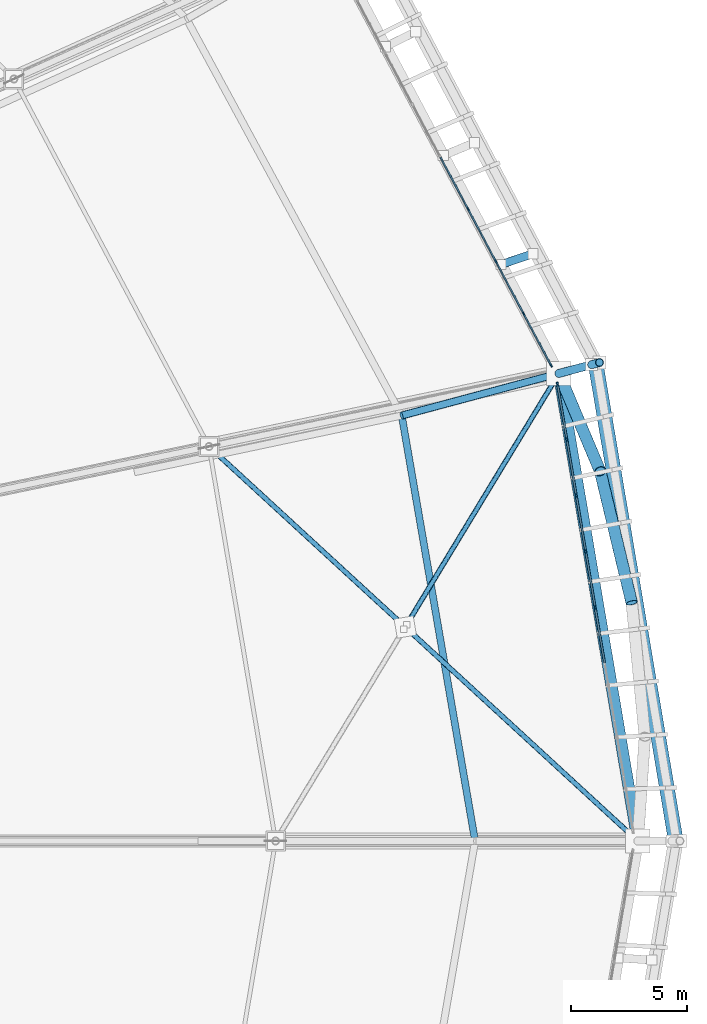
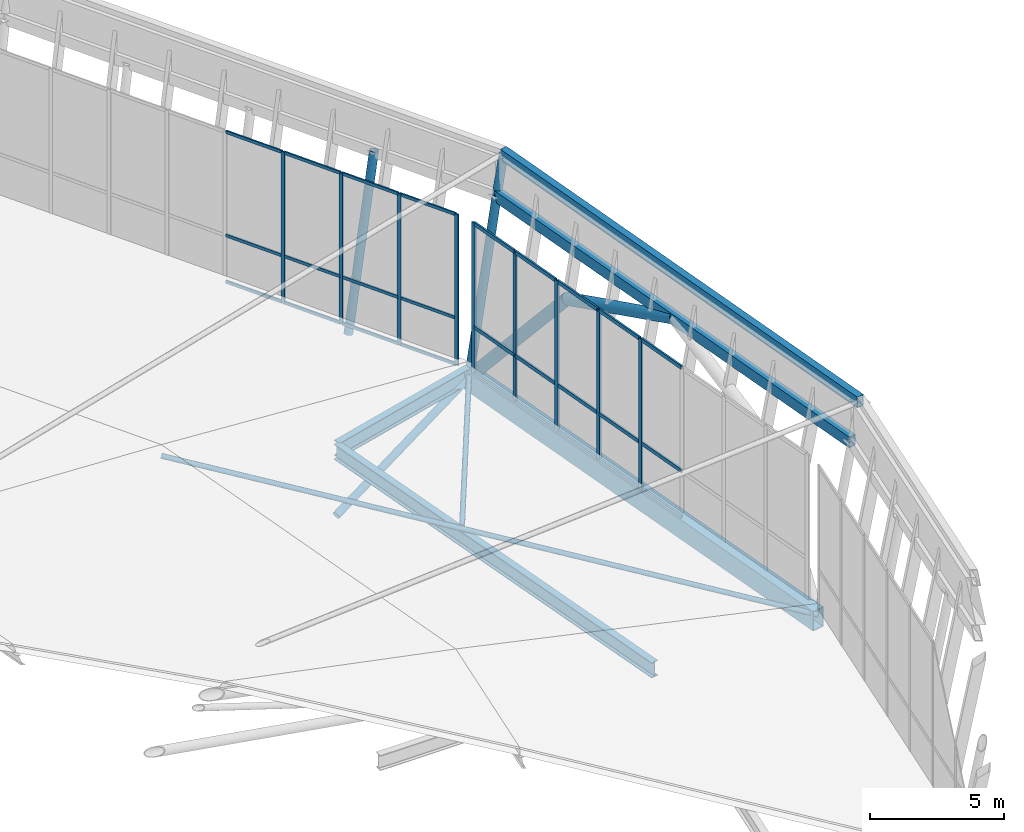
# One storey, part 60 of 115: 44 members, 5 beams, 2 elements without a shape of their own.
"""IFC4 building model written with IfcOpenShell, lengths in metres."""

from ifc_helpers import new_model, si_unit, direction, frame, origin, origin_2d, place, context, subcontext, project, spatial, rectangle, hollow_rectangle, hollow_circle, i_section, extrude, material, material_profile, profile_set, type_object, element, aggregate, save


model = new_model("IFC4")

# Units and contexts
model_context = context("Model", 3, precision=1e-05, world=origin(), true_north=direction((0.0, 1.0)))
body_context = subcontext(model_context, "Body", "Model", "MODEL_VIEW")
ifc_project = project(units=[si_unit("LENGTHUNIT", "METRE"), si_unit("AREAUNIT", "SQUARE_METRE"), si_unit("VOLUMEUNIT", "CUBIC_METRE"), si_unit("PLANEANGLEUNIT", "RADIAN"), si_unit("MASSUNIT", "GRAM", prefix="KILO")], contexts=[model_context])

# Site, building, storey
site_placement = place(None, origin())
site = spatial("IfcSite", under=ifc_project, at=site_placement, CompositionType="ELEMENT")
building_placement = place(site_placement, origin())
building = spatial("IfcBuilding", under=site, at=building_placement, Name="Zlatoyarsky Gate Stadium", CompositionType="ELEMENT")
storey_placement = place(building_placement, frame((0.0, 0.0, 31.800048828125)))
storey = spatial("IfcBuildingStorey", under=building, at=storey_placement, Name="RF", CompositionType="ELEMENT", Elevation=31.800048828125)

# Curtain wall, members
ifc_material_1 = material(Name="Thermally broken anodised aluminium curtain wall", Category="aluminium")
curtain_wall_type_1 = type_object("IfcCurtainWallType", Name="MONUMENTAL ARCHED GATE GLAZING UPPER", PredefinedType="USERDEFINED", material=ifc_material_1)
curtain_wall_1_placement = place(storey_placement, origin())
curtain_wall_1 = element("IfcCurtainWall", 1, at=curtain_wall_1_placement, inside=storey, type_object=curtain_wall_type_1, Name="Curtain wall CW-RF-00", ObjectType="ARCHED GATE GLAZING", PredefinedType="USERDEFINED")
ifc_material_2 = material(Name="Anodised aluminium 6063-T6", Category="aluminium")
ifc_material_profile_1 = material_profile(ifc_material_2, rectangle(XDim=0.074951171875, YDim=0.18994140625, at=origin_2d()), Name="ALU 75X190")
ifc_profile_set_1 = profile_set([ifc_material_profile_1], Name="Anodised aluminium 6063-T6")
member_type_1 = type_object("IfcMemberType", Name="ALUMINIUM GATE MULLION 75X190", PredefinedType="MULLION", material=ifc_profile_set_1)
member_1_placement = place(storey_placement, frame((209.185791015625, 90.079345703125, 0.0), z_axis=(0.0, 0.0, 1.0), x_axis=(-0.986044463486, -0.166482179311, 0.0)))
member_1 = element("IfcMember", 2, at=member_1_placement, type_object=member_type_1, Name="CW-AG2 mullion 5", PredefinedType="MULLION", context=body_context, shape_type="SweptSolid", body=[
    extrude(rectangle(XDim=0.074951171875, YDim=0.18994140625, at=origin_2d()), origin(), (0.0, 0.0, 1.0), 6.89990234375),
])
member_2_placement = place(storey_placement, frame((208.777099609375, 92.500732421875, 0.0), z_axis=(0.0, 0.0, 1.0), x_axis=(-0.986044463486, -0.166482179311, 0.0)))
member_2 = element("IfcMember", 3, at=member_2_placement, type_object=member_type_1, Name="CW-AG2 mullion 6", PredefinedType="MULLION", context=body_context, shape_type="SweptSolid", body=[
    extrude(rectangle(XDim=0.074951171875, YDim=0.18994140625, at=origin_2d()), origin(), (0.0, 0.0, 1.0), 6.89990234375),
])
member_3_placement = place(storey_placement, frame((208.3681640625, 94.921875, 0.0), z_axis=(0.0, 0.0, 1.0), x_axis=(-0.986044463486, -0.166482179311, 0.0)))
member_3 = element("IfcMember", 4, at=member_3_placement, type_object=member_type_1, Name="CW-AG2 mullion 7", PredefinedType="MULLION", context=body_context, shape_type="SweptSolid", body=[
    extrude(rectangle(XDim=0.074951171875, YDim=0.18994140625, at=origin_2d()), origin(), (0.0, 0.0, 1.0), 6.89990234375),
])
member_4_placement = place(storey_placement, frame((207.95947265625, 97.34326171875, 0.0), z_axis=(0.0, 0.0, 1.0), x_axis=(-0.986044463486, -0.166482179311, 0.0)))
member_4 = element("IfcMember", 5, at=member_4_placement, type_object=member_type_1, Name="CW-AG2 mullion 8", PredefinedType="MULLION", context=body_context, shape_type="SweptSolid", body=[
    extrude(rectangle(XDim=0.074951171875, YDim=0.18994140625, at=origin_2d()), origin(), (0.0, 0.0, 1.0), 6.89990234375),
])
member_5_placement = place(storey_placement, frame((207.556884765625, 99.7275390625, 0.0), z_axis=(0.0, 0.0, 1.0), x_axis=(-0.986044463486, -0.166482179311, 0.0)))
member_5 = element("IfcMember", 6, at=member_5_placement, type_object=member_type_1, Name="CW-AG2 mullion 9", PredefinedType="MULLION", context=body_context, shape_type="SweptSolid", body=[
    extrude(rectangle(XDim=0.074951171875, YDim=0.18994140625, at=origin_2d()), origin(), (0.0, 0.0, 1.0), 6.89990234375),
])
ifc_material_profile_2 = material_profile(ifc_material_2, rectangle(XDim=0.074951171875, YDim=0.169921875, at=origin_2d()), Name="ALU 75X170")
ifc_profile_set_2 = profile_set([ifc_material_profile_2], Name="Anodised aluminium 6063-T6")
member_type_2 = type_object("IfcMemberType", Name="ALUMINIUM GATE TRANSOM 75X170", PredefinedType="USERDEFINED", material=ifc_profile_set_2)
member_6_placement = place(storey_placement, frame((209.58837890625, 87.695068359375, 0.037353515625), z_axis=(-0.166444158265, 0.986050882145, 0.0), x_axis=(-0.986050882145, -0.166444158265, 0.0)))
member_6 = element("IfcMember", 7, at=member_6_placement, type_object=member_type_2, Name="CW-AG2 transom 4.1", ObjectType="TRANSOM", PredefinedType="USERDEFINED", context=body_context, shape_type="SweptSolid", body=[
    extrude(rectangle(XDim=0.074951171875, YDim=0.169921875, at=origin_2d()), origin(), (0.0, 0.0, 1.0), 2.380615234375),
])
member_7_placement = place(storey_placement, frame((209.58837890625, 87.695068359375, 2.14990234375), z_axis=(-0.166444158265, 0.986050882145, 0.0), x_axis=(-0.986050882145, -0.166444158265, 0.0)))
member_7 = element("IfcMember", 8, at=member_7_placement, type_object=member_type_2, Name="CW-AG2 transom 4.2", ObjectType="TRANSOM", PredefinedType="USERDEFINED", context=body_context, shape_type="SweptSolid", body=[
    extrude(rectangle(XDim=0.074951171875, YDim=0.169921875, at=origin_2d()), origin(), (0.0, 0.0, 1.0), 2.380615234375),
])
member_8_placement = place(storey_placement, frame((209.58837890625, 87.695068359375, 6.862548828125), z_axis=(-0.166444158265, 0.986050882145, 0.0), x_axis=(-0.986050882145, -0.166444158265, 0.0)))
member_8 = element("IfcMember", 9, at=member_8_placement, type_object=member_type_2, Name="CW-AG2 transom 4.3", ObjectType="TRANSOM", PredefinedType="USERDEFINED", context=body_context, shape_type="SweptSolid", body=[
    extrude(rectangle(XDim=0.074951171875, YDim=0.169921875, at=origin_2d()), origin(), (0.0, 0.0, 1.0), 2.380615234375),
])
member_9_placement = place(storey_placement, frame((209.179443359375, 90.116455078125, 0.037353515625), z_axis=(-0.166460991253, 0.98604804061, 0.0), x_axis=(-0.98604804061, -0.166460991253, 0.0)))
member_9 = element("IfcMember", 10, at=member_9_placement, type_object=member_type_2, Name="CW-AG2 transom 5.1", ObjectType="TRANSOM", PredefinedType="USERDEFINED", context=body_context, shape_type="SweptSolid", body=[
    extrude(rectangle(XDim=0.074951171875, YDim=0.169921875, at=origin_2d()), origin(), (0.0, 0.0, 1.0), 2.38037109375),
])
member_10_placement = place(storey_placement, frame((209.179443359375, 90.116455078125, 2.14990234375), z_axis=(-0.166460991253, 0.98604804061, 0.0), x_axis=(-0.98604804061, -0.166460991253, 0.0)))
member_10 = element("IfcMember", 11, at=member_10_placement, type_object=member_type_2, Name="CW-AG2 transom 5.2", ObjectType="TRANSOM", PredefinedType="USERDEFINED", context=body_context, shape_type="SweptSolid", body=[
    extrude(rectangle(XDim=0.074951171875, YDim=0.169921875, at=origin_2d()), origin(), (0.0, 0.0, 1.0), 2.38037109375),
])
member_11_placement = place(storey_placement, frame((209.179443359375, 90.116455078125, 6.862548828125), z_axis=(-0.166460991253, 0.98604804061, 0.0), x_axis=(-0.98604804061, -0.166460991253, 0.0)))
member_11 = element("IfcMember", 12, at=member_11_placement, type_object=member_type_2, Name="CW-AG2 transom 5.3", ObjectType="TRANSOM", PredefinedType="USERDEFINED", context=body_context, shape_type="SweptSolid", body=[
    extrude(rectangle(XDim=0.074951171875, YDim=0.169921875, at=origin_2d()), origin(), (0.0, 0.0, 1.0), 2.38037109375),
])
member_12_placement = place(storey_placement, frame((208.770751953125, 92.53759765625, 0.037353515625), z_axis=(-0.166444158265, 0.986050882145, 0.0), x_axis=(-0.986050882145, -0.166444158265, 0.0)))
member_12 = element("IfcMember", 13, at=member_12_placement, type_object=member_type_2, Name="CW-AG2 transom 6.1", ObjectType="TRANSOM", PredefinedType="USERDEFINED", context=body_context, shape_type="SweptSolid", body=[
    extrude(rectangle(XDim=0.074951171875, YDim=0.169921875, at=origin_2d()), origin(), (0.0, 0.0, 1.0), 2.380615234375),
])
member_13_placement = place(storey_placement, frame((208.770751953125, 92.53759765625, 2.14990234375), z_axis=(-0.166444158265, 0.986050882145, 0.0), x_axis=(-0.986050882145, -0.166444158265, 0.0)))
member_13 = element("IfcMember", 14, at=member_13_placement, type_object=member_type_2, Name="CW-AG2 transom 6.2", ObjectType="TRANSOM", PredefinedType="USERDEFINED", context=body_context, shape_type="SweptSolid", body=[
    extrude(rectangle(XDim=0.074951171875, YDim=0.169921875, at=origin_2d()), origin(), (0.0, 0.0, 1.0), 2.380615234375),
])
member_14_placement = place(storey_placement, frame((208.770751953125, 92.53759765625, 6.862548828125), z_axis=(-0.166444158265, 0.986050882145, 0.0), x_axis=(-0.986050882145, -0.166444158265, 0.0)))
member_14 = element("IfcMember", 15, at=member_14_placement, type_object=member_type_2, Name="CW-AG2 transom 6.3", ObjectType="TRANSOM", PredefinedType="USERDEFINED", context=body_context, shape_type="SweptSolid", body=[
    extrude(rectangle(XDim=0.074951171875, YDim=0.169921875, at=origin_2d()), origin(), (0.0, 0.0, 1.0), 2.380615234375),
])
member_15_placement = place(storey_placement, frame((208.362060546875, 94.958984375, 0.037353515625), z_axis=(-0.166560710498, 0.986031201189, 0.0), x_axis=(-0.986031201189, -0.166560710498, 0.0)))
member_15 = element("IfcMember", 16, at=member_15_placement, type_object=member_type_2, Name="CW-AG2 transom 7.1", ObjectType="TRANSOM", PredefinedType="USERDEFINED", context=body_context, shape_type="SweptSolid", body=[
    extrude(rectangle(XDim=0.074951171875, YDim=0.169921875, at=origin_2d()), origin(), (0.0, 0.0, 1.0), 2.38037109375),
])
member_16_placement = place(storey_placement, frame((208.362060546875, 94.958984375, 2.14990234375), z_axis=(-0.166560710498, 0.986031201189, 0.0), x_axis=(-0.986031201189, -0.166560710498, 0.0)))
member_16 = element("IfcMember", 17, at=member_16_placement, type_object=member_type_2, Name="CW-AG2 transom 7.2", ObjectType="TRANSOM", PredefinedType="USERDEFINED", context=body_context, shape_type="SweptSolid", body=[
    extrude(rectangle(XDim=0.074951171875, YDim=0.169921875, at=origin_2d()), origin(), (0.0, 0.0, 1.0), 2.38037109375),
])
member_17_placement = place(storey_placement, frame((208.362060546875, 94.958984375, 6.862548828125), z_axis=(-0.166560710498, 0.986031201189, 0.0), x_axis=(-0.986031201189, -0.166560710498, 0.0)))
member_17 = element("IfcMember", 18, at=member_17_placement, type_object=member_type_2, Name="CW-AG2 transom 7.3", ObjectType="TRANSOM", PredefinedType="USERDEFINED", context=body_context, shape_type="SweptSolid", body=[
    extrude(rectangle(XDim=0.074951171875, YDim=0.169921875, at=origin_2d()), origin(), (0.0, 0.0, 1.0), 2.38037109375),
])
member_18_placement = place(storey_placement, frame((207.953125, 97.380126953125, 0.037353515625), z_axis=(-0.166510761943, 0.986039637214, 0.0), x_axis=(-0.986039637214, -0.166510761943, 0.0)))
member_18 = element("IfcMember", 19, at=member_18_placement, type_object=member_type_2, Name="CW-AG2 transom 8.1", ObjectType="TRANSOM", PredefinedType="USERDEFINED", context=body_context, shape_type="SweptSolid", body=[
    extrude(rectangle(XDim=0.074951171875, YDim=0.169921875, at=origin_2d()), origin(), (0.0, 0.0, 1.0), 2.343017578125),
])
member_19_placement = place(storey_placement, frame((207.953125, 97.380126953125, 2.14990234375), z_axis=(-0.166510761943, 0.986039637214, 0.0), x_axis=(-0.986039637214, -0.166510761943, 0.0)))
member_19 = element("IfcMember", 20, at=member_19_placement, type_object=member_type_2, Name="CW-AG2 transom 8.2", ObjectType="TRANSOM", PredefinedType="USERDEFINED", context=body_context, shape_type="SweptSolid", body=[
    extrude(rectangle(XDim=0.074951171875, YDim=0.169921875, at=origin_2d()), origin(), (0.0, 0.0, 1.0), 2.343017578125),
])
member_20_placement = place(storey_placement, frame((207.953125, 97.380126953125, 6.862548828125), z_axis=(-0.166510761943, 0.986039637214, 0.0), x_axis=(-0.986039637214, -0.166510761943, 0.0)))
member_20 = element("IfcMember", 21, at=member_20_placement, type_object=member_type_2, Name="CW-AG2 transom 8.3", ObjectType="TRANSOM", PredefinedType="USERDEFINED", context=body_context, shape_type="SweptSolid", body=[
    extrude(rectangle(XDim=0.074951171875, YDim=0.169921875, at=origin_2d()), origin(), (0.0, 0.0, 1.0), 2.343017578125),
])
aggregate(curtain_wall_1, [member_1, member_2, member_3, member_4, member_5, member_6, member_7, member_8, member_9, member_10, member_11, member_12, member_13, member_14, member_15, member_16, member_17, member_18, member_19, member_20])

curtain_wall_type_2 = type_object("IfcCurtainWallType", Name="UNITISED SKYBOX RING GLAZING L05", PredefinedType="USERDEFINED", material=ifc_material_1)
curtain_wall_2_placement = place(storey_placement, origin())
curtain_wall_2 = element("IfcCurtainWall", 22, at=curtain_wall_2_placement, inside=storey, type_object=curtain_wall_type_2, Name="Curtain wall CW-RF-01", ObjectType="UNITISED GLAZING", PredefinedType="USERDEFINED")
ifc_material_profile_3 = material_profile(ifc_material_2, rectangle(XDim=0.06494140625, YDim=0.159912109375, at=origin_2d()), Name="ALU 65X160")
ifc_profile_set_3 = profile_set([ifc_material_profile_3], Name="Anodised aluminium 6063-T6")
member_type_3 = type_object("IfcMemberType", Name="ALUMINIUM MULLION 65X160", PredefinedType="MULLION", material=ifc_profile_set_3)
member_21_placement = place(storey_placement, frame((207.281005859375, 100.540771484375, 0.0), z_axis=(0.0, 0.0, 1.0), x_axis=(-0.883130898599, -0.469126652345, 0.0)))
member_21 = element("IfcMember", 23, at=member_21_placement, type_object=member_type_3, Name="CW-UG5 mullion 1", PredefinedType="MULLION", context=body_context, shape_type="SweptSolid", body=[
    extrude(rectangle(XDim=0.06494140625, YDim=0.159912109375, at=origin_2d()), origin(), (0.0, 0.0, 1.0), 6.89990234375),
])
member_22_placement = place(storey_placement, frame((206.095947265625, 102.77197265625, 0.0), z_axis=(0.0, 0.0, 1.0), x_axis=(-0.883130898599, -0.469126652345, 0.0)))
member_22 = element("IfcMember", 24, at=member_22_placement, type_object=member_type_3, Name="CW-UG5 mullion 2", PredefinedType="MULLION", context=body_context, shape_type="SweptSolid", body=[
    extrude(rectangle(XDim=0.06494140625, YDim=0.159912109375, at=origin_2d()), origin(), (0.0, 0.0, 1.0), 6.89990234375),
])
member_23_placement = place(storey_placement, frame((204.8955078125, 105.03173828125, 0.0), z_axis=(0.0, 0.0, 1.0), x_axis=(-0.883130898599, -0.469126652345, 0.0)))
member_23 = element("IfcMember", 25, at=member_23_placement, type_object=member_type_3, Name="CW-UG5 mullion 3", PredefinedType="MULLION", context=body_context, shape_type="SweptSolid", body=[
    extrude(rectangle(XDim=0.06494140625, YDim=0.159912109375, at=origin_2d()), origin(), (0.0, 0.0, 1.0), 6.89990234375),
])
member_24_placement = place(storey_placement, frame((203.695068359375, 107.29150390625, 0.0), z_axis=(0.0, 0.0, 1.0), x_axis=(-0.883130898599, -0.469126652345, 0.0)))
member_24 = element("IfcMember", 26, at=member_24_placement, type_object=member_type_3, Name="CW-UG5 mullion 4", PredefinedType="MULLION", context=body_context, shape_type="SweptSolid", body=[
    extrude(rectangle(XDim=0.06494140625, YDim=0.159912109375, at=origin_2d()), origin(), (0.0, 0.0, 1.0), 6.89990234375),
])
ifc_material_profile_4 = material_profile(ifc_material_2, rectangle(XDim=0.06494140625, YDim=0.139892578125, at=origin_2d()), Name="ALU 65X140")
ifc_profile_set_4 = profile_set([ifc_material_profile_4], Name="Anodised aluminium 6063-T6")
member_type_4 = type_object("IfcMemberType", Name="ALUMINIUM TRANSOM 65X140", PredefinedType="USERDEFINED", material=ifc_profile_set_4)
member_25_placement = place(storey_placement, frame((207.265869140625, 100.569580078125, 0.032470703125), z_axis=(-0.469176983035, 0.883104160669, 0.0), x_axis=(-0.883104160669, -0.469176983035, 0.0)))
member_25 = element("IfcMember", 27, at=member_25_placement, type_object=member_type_4, Name="CW-UG5 transom 1.1", ObjectType="TRANSOM", PredefinedType="USERDEFINED", context=body_context, shape_type="SweptSolid", body=[
    extrude(rectangle(XDim=0.06494140625, YDim=0.139892578125, at=origin_2d()), origin(), (0.0, 0.0, 1.0), 2.461181640625),
])
member_26_placement = place(storey_placement, frame((207.265869140625, 100.569580078125, 2.14990234375), z_axis=(-0.469176983035, 0.883104160669, 0.0), x_axis=(-0.883104160669, -0.469176983035, 0.0)))
member_26 = element("IfcMember", 28, at=member_26_placement, type_object=member_type_4, Name="CW-UG5 transom 1.2", ObjectType="TRANSOM", PredefinedType="USERDEFINED", context=body_context, shape_type="SweptSolid", body=[
    extrude(rectangle(XDim=0.06494140625, YDim=0.139892578125, at=origin_2d()), origin(), (0.0, 0.0, 1.0), 2.461181640625),
])
member_27_placement = place(storey_placement, frame((207.265869140625, 100.569580078125, 6.867431640625), z_axis=(-0.469176983035, 0.883104160669, 0.0), x_axis=(-0.883104160669, -0.469176983035, 0.0)))
member_27 = element("IfcMember", 29, at=member_27_placement, type_object=member_type_4, Name="CW-UG5 transom 1.3", ObjectType="TRANSOM", PredefinedType="USERDEFINED", context=body_context, shape_type="SweptSolid", body=[
    extrude(rectangle(XDim=0.06494140625, YDim=0.139892578125, at=origin_2d()), origin(), (0.0, 0.0, 1.0), 2.461181640625),
])
member_28_placement = place(storey_placement, frame((206.08056640625, 102.800537109375, 0.032470703125), z_axis=(-0.469124208683, 0.883132196688, 0.0), x_axis=(-0.883132196688, -0.469124208683, 0.0)))
member_28 = element("IfcMember", 30, at=member_28_placement, type_object=member_type_4, Name="CW-UG5 transom 2.1", ObjectType="TRANSOM", PredefinedType="USERDEFINED", context=body_context, shape_type="SweptSolid", body=[
    extrude(rectangle(XDim=0.06494140625, YDim=0.139892578125, at=origin_2d()), origin(), (0.0, 0.0, 1.0), 2.493896484375),
])
member_29_placement = place(storey_placement, frame((206.08056640625, 102.800537109375, 2.14990234375), z_axis=(-0.469124208683, 0.883132196688, 0.0), x_axis=(-0.883132196688, -0.469124208683, 0.0)))
member_29 = element("IfcMember", 31, at=member_29_placement, type_object=member_type_4, Name="CW-UG5 transom 2.2", ObjectType="TRANSOM", PredefinedType="USERDEFINED", context=body_context, shape_type="SweptSolid", body=[
    extrude(rectangle(XDim=0.06494140625, YDim=0.139892578125, at=origin_2d()), origin(), (0.0, 0.0, 1.0), 2.493896484375),
])
member_30_placement = place(storey_placement, frame((206.08056640625, 102.800537109375, 6.867431640625), z_axis=(-0.469124208683, 0.883132196688, 0.0), x_axis=(-0.883132196688, -0.469124208683, 0.0)))
member_30 = element("IfcMember", 32, at=member_30_placement, type_object=member_type_4, Name="CW-UG5 transom 2.3", ObjectType="TRANSOM", PredefinedType="USERDEFINED", context=body_context, shape_type="SweptSolid", body=[
    extrude(rectangle(XDim=0.06494140625, YDim=0.139892578125, at=origin_2d()), origin(), (0.0, 0.0, 1.0), 2.493896484375),
])
member_31_placement = place(storey_placement, frame((204.880126953125, 105.060302734375, 0.032470703125), z_axis=(-0.469124208683, 0.883132196688, 0.0), x_axis=(-0.883132196688, -0.469124208683, 0.0)))
member_31 = element("IfcMember", 33, at=member_31_placement, type_object=member_type_4, Name="CW-UG5 transom 3.1", ObjectType="TRANSOM", PredefinedType="USERDEFINED", context=body_context, shape_type="SweptSolid", body=[
    extrude(rectangle(XDim=0.06494140625, YDim=0.139892578125, at=origin_2d()), origin(), (0.0, 0.0, 1.0), 2.493896484375),
])
member_32_placement = place(storey_placement, frame((204.880126953125, 105.060302734375, 2.14990234375), z_axis=(-0.469124208683, 0.883132196688, 0.0), x_axis=(-0.883132196688, -0.469124208683, 0.0)))
member_32 = element("IfcMember", 34, at=member_32_placement, type_object=member_type_4, Name="CW-UG5 transom 3.2", ObjectType="TRANSOM", PredefinedType="USERDEFINED", context=body_context, shape_type="SweptSolid", body=[
    extrude(rectangle(XDim=0.06494140625, YDim=0.139892578125, at=origin_2d()), origin(), (0.0, 0.0, 1.0), 2.493896484375),
])
member_33_placement = place(storey_placement, frame((204.880126953125, 105.060302734375, 6.867431640625), z_axis=(-0.469124208683, 0.883132196688, 0.0), x_axis=(-0.883132196688, -0.469124208683, 0.0)))
member_33 = element("IfcMember", 35, at=member_33_placement, type_object=member_type_4, Name="CW-UG5 transom 3.3", ObjectType="TRANSOM", PredefinedType="USERDEFINED", context=body_context, shape_type="SweptSolid", body=[
    extrude(rectangle(XDim=0.06494140625, YDim=0.139892578125, at=origin_2d()), origin(), (0.0, 0.0, 1.0), 2.493896484375),
])
member_34_placement = place(storey_placement, frame((203.6796875, 107.3203125, 0.032470703125), z_axis=(-0.469124208683, 0.883132196688, 0.0), x_axis=(-0.883132196688, -0.469124208683, 0.0)))
member_34 = element("IfcMember", 36, at=member_34_placement, type_object=member_type_4, Name="CW-UG5 transom 4.1", ObjectType="TRANSOM", PredefinedType="USERDEFINED", context=body_context, shape_type="SweptSolid", body=[
    extrude(rectangle(XDim=0.06494140625, YDim=0.139892578125, at=origin_2d()), origin(), (0.0, 0.0, 1.0), 2.493896484375),
])
member_35_placement = place(storey_placement, frame((203.6796875, 107.3203125, 2.14990234375), z_axis=(-0.469124208683, 0.883132196688, 0.0), x_axis=(-0.883132196688, -0.469124208683, 0.0)))
member_35 = element("IfcMember", 37, at=member_35_placement, type_object=member_type_4, Name="CW-UG5 transom 4.2", ObjectType="TRANSOM", PredefinedType="USERDEFINED", context=body_context, shape_type="SweptSolid", body=[
    extrude(rectangle(XDim=0.06494140625, YDim=0.139892578125, at=origin_2d()), origin(), (0.0, 0.0, 1.0), 2.493896484375),
])
member_36_placement = place(storey_placement, frame((203.6796875, 107.3203125, 6.867431640625), z_axis=(-0.469124208683, 0.883132196688, 0.0), x_axis=(-0.883132196688, -0.469124208683, 0.0)))
member_36 = element("IfcMember", 38, at=member_36_placement, type_object=member_type_4, Name="CW-UG5 transom 4.3", ObjectType="TRANSOM", PredefinedType="USERDEFINED", context=body_context, shape_type="SweptSolid", body=[
    extrude(rectangle(XDim=0.06494140625, YDim=0.139892578125, at=origin_2d()), origin(), (0.0, 0.0, 1.0), 2.493896484375),
])
aggregate(curtain_wall_2, [member_21, member_22, member_23, member_24, member_25, member_26, member_27, member_28, member_29, member_30, member_31, member_32, member_33, member_34, member_35, member_36])

# Members
ifc_material_3 = material(Name="Steel S355", Category="steel")
ifc_material_profile_5 = material_profile(ifc_material_3, hollow_circle(Radius=0.25390625, WallThickness=0.02490234375, at=origin_2d()), Name="CHS 508X25")
ifc_profile_set_5 = profile_set([ifc_material_profile_5], Name="Steel S355")
member_type_5 = type_object("IfcMemberType", Name="STEEL ARCH TOP CHORD CHS 508X25", PredefinedType="CHORD", material=ifc_profile_set_5)
member_37_placement = place(storey_placement, frame((210.76611328125, 90.28759765625, 7.14990234375), z_axis=(-0.219622597376, 0.915035149126, -0.33834389397), x_axis=(-0.97238388679, -0.233387181976, 0.0)))
element("IfcMember", 39, at=member_37_placement, inside=storey, type_object=member_type_5, Name="Monumental gate portal arch chord 00-3", PredefinedType="CHORD", context=body_context, shape_type="SweptSolid", body=[
    extrude(hollow_circle(Radius=0.25390625, WallThickness=0.02490234375, at=origin_2d()), origin(), (0.0, 0.0, 1.0), 6.206298828125),
])
member_38_placement = place(storey_placement, frame((209.403076171875, 95.966552734375, 5.050048828125), z_axis=(-0.249038463236, 0.590303295915, -0.767803270806), x_axis=(-0.921361779506, -0.38870615028, 0.0)))
element("IfcMember", 40, at=member_38_placement, inside=storey, type_object=member_type_5, Name="Monumental gate portal arch chord 00-4", PredefinedType="CHORD", context=body_context, shape_type="SweptSolid", body=[
    extrude(hollow_circle(Radius=0.25390625, WallThickness=0.02490234375, at=origin_2d()), origin(), (0.0, 0.0, 1.0), 7.163330078125),
])
ifc_material_profile_6 = material_profile(ifc_material_3, hollow_circle(Radius=0.109619140625, WallThickness=0.012451171875, at=origin_2d()), Name="CHS 219.1X12.5")
ifc_profile_set_6 = profile_set([ifc_material_profile_6], Name="Steel S355")
member_type_6 = type_object("IfcMemberType", Name="STEEL CANOPY WIND BRACE CHS 219.1X12.5", PredefinedType="BRACE", material=ifc_profile_set_6)
member_39_placement = place(storey_placement, frame((211.027587890625, 80.0, -0.25), z_axis=(-0.729330883965, 0.670931340235, 0.133893981888), x_axis=(-0.677027525073, -0.735957695995, 0.0)))
element("IfcMember", 41, at=member_39_placement, inside=storey, type_object=member_type_6, Name="Roof wind X-brace continuous diagonal 00", PredefinedType="BRACE", context=body_context, shape_type="SweptSolid", body=[
    extrude(hollow_circle(Radius=0.109619140625, WallThickness=0.012451171875, at=origin_2d()), origin(), (0.0, 0.0, 1.0), 25.392578125),
])
member_40_placement = place(storey_placement, frame((207.619140625, 100.195068359375, -0.25), z_axis=(-0.512908440754, -0.846529417927, 0.142523247186), x_axis=(0.855260382189, -0.518198493493, 0.0)))
element("IfcMember", 42, at=member_40_placement, inside=storey, type_object=member_type_6, Name="Roof wind X-brace split half-diagonal 00A", PredefinedType="BRACE", context=body_context, shape_type="SweptSolid", body=[
    extrude(hollow_circle(Radius=0.109619140625, WallThickness=0.012451171875, at=origin_2d()), origin(), (0.0, 0.0, 1.0), 12.816650390625),
])
ifc_material_profile_7 = material_profile(ifc_material_3, hollow_circle(Radius=0.177734375, WallThickness=0.02001953125, at=origin_2d()), Name="CHS 355.6X20")
ifc_profile_set_7 = profile_set([ifc_material_profile_7], Name="Steel S355")
member_type_7 = type_object("IfcMemberType", Name="STEEL LEANING RIB RING STRUT CHS 355.6X20", PredefinedType="STRUT", material=ifc_profile_set_7)
member_41_placement = place(storey_placement, frame((207.619140625, 100.195068359375, -0.449951171875), z_axis=(0.183161786011, 0.049078653183, 0.981856937617), x_axis=(-0.258821999954, 0.965925034534, 0.0)))
element("IfcMember", 43, at=member_41_placement, inside=storey, type_object=member_type_7, Name="Outward-leaning crown fascia lower post 01", PredefinedType="STRUT", context=body_context, shape_type="SweptSolid", body=[
    extrude(hollow_circle(Radius=0.177734375, WallThickness=0.02001953125, at=origin_2d()), origin(), (0.0, 0.0, 1.0), 7.740234375),
])
member_42_placement = place(storey_placement, frame((209.036865234375, 100.574951171875, 7.14990234375), z_axis=(0.194145508575, 0.052053505922, 0.979590707398), x_axis=(-0.258969313954, 0.965885549343, 0.0)))
element("IfcMember", 44, at=member_42_placement, inside=storey, type_object=member_type_7, Name="Outward-leaning crown fascia upper post 01", PredefinedType="STRUT", context=body_context, shape_type="SweptSolid", body=[
    extrude(hollow_circle(Radius=0.177734375, WallThickness=0.02001953125, at=origin_2d()), origin(), (0.0, 0.0, 1.0), 1.7353515625),
])
member_43_placement = place(storey_placement, frame((205.12109375, 104.899658203125, -0.449951171875), z_axis=(0.178440689667, 0.060542376851, 0.982086320481), x_axis=(-0.32129634475, 0.946978700315, 0.0)))
element("IfcMember", 45, at=member_43_placement, inside=storey, type_object=member_type_7, Name="Outward-leaning bowl louvre fin rib RF 01-1", PredefinedType="STRUT", context=body_context, shape_type="SweptSolid", body=[
    extrude(hollow_circle(Radius=0.177734375, WallThickness=0.02001953125, at=origin_2d()), origin(), (0.0, 0.0, 1.0), 7.738525390625),
])

# Beams
ifc_material_profile_8 = material_profile(ifc_material_3, hollow_rectangle(XDim=0.300048828125, YDim=0.5, WallThickness=0.02001953125, at=origin_2d()), Name="RHS 500X300X20")
ifc_profile_set_8 = profile_set([ifc_material_profile_8], Name="Steel S355")
beam_type_1 = type_object("IfcBeamType", Name="STEEL LOUVRE CARRIER SPANDREL RHS 500X300X20", PredefinedType="SPANDREL", material=ifc_profile_set_8)
beam_1_placement = place(storey_placement, frame((212.495361328125, 80.0, 7.14990234375), z_axis=(-0.165766985081, 0.986164949011, 0.0), x_axis=(-0.986164949011, -0.165766985081, 0.0)))
element("IfcBeam", 46, at=beam_1_placement, inside=storey, type_object=beam_type_1, Name="Crown eaves fascia bottom carrier spandrel 00", PredefinedType="SPANDREL", context=body_context, shape_type="SweptSolid", body=[
    extrude(hollow_rectangle(XDim=0.300048828125, YDim=0.5, WallThickness=0.02001953125, at=origin_2d()), origin(), (0.0, 0.0, 1.0), 20.863525390625),
])
beam_2_placement = place(storey_placement, frame((212.84423828125, 80.0, 8.849853515625), z_axis=(-0.165617482559, 0.986190067619, 0.0), x_axis=(-0.986190067619, -0.165617482559, 0.0)))
element("IfcBeam", 47, at=beam_2_placement, inside=storey, type_object=beam_type_1, Name="Crown fascia top carrier spandrel 00", PredefinedType="SPANDREL", context=body_context, shape_type="SweptSolid", body=[
    extrude(hollow_rectangle(XDim=0.300048828125, YDim=0.5, WallThickness=0.02001953125, at=origin_2d()), origin(), (0.0, 0.0, 1.0), 20.95458984375),
])
ifc_material_profile_9 = material_profile(ifc_material_3, hollow_rectangle(XDim=0.5, YDim=0.89990234375, WallThickness=0.028076171875, at=origin_2d()), Name="RHS 900X500X28")
ifc_profile_set_9 = profile_set([ifc_material_profile_9], Name="Steel S355")
beam_type_2 = type_object("IfcBeamType", Name="STEEL OUTER COMPRESSION RING BEAM RHS 900X500X28", PredefinedType="USERDEFINED", material=ifc_profile_set_9)
beam_3_placement = place(storey_placement, frame((211.027587890625, 80.0, -0.449951171875), z_axis=(-0.166422554359, 0.986054528614, 0.0), x_axis=(-0.986054528614, -0.166422554359, 0.0)))
element("IfcBeam", 48, at=beam_3_placement, inside=storey, type_object=beam_type_2, Name="Outer compression ring beam 00", ObjectType="RING BEAM", PredefinedType="USERDEFINED", context=body_context, shape_type="SweptSolid", body=[
    extrude(hollow_rectangle(XDim=0.5, YDim=0.89990234375, WallThickness=0.028076171875, at=origin_2d()), origin(), (0.0, 0.0, 1.0), 20.480712890625),
])
ifc_material_profile_10 = material_profile(ifc_material_3, i_section(OverallWidth=0.300048828125, OverallDepth=0.699951171875, WebThickness=0.01708984375, FlangeThickness=0.031982421875, FilletRadius=0.027099609375, at=origin_2d()), Name="HEB 700")
ifc_profile_set_10 = profile_set([ifc_material_profile_10], Name="Steel S355")
beam_type_3 = type_object("IfcBeamType", Name="STEEL ROOF RING GIRDER HEB 700", PredefinedType="BEAM", material=ifc_profile_set_10)
beam_4_placement = place(storey_placement, frame((203.9931640625, 80.039306640625, -0.300048828125), z_axis=(-0.169933775621, 0.985455484486, 0.0), x_axis=(-0.985455484486, -0.169933775621, 0.0)))
element("IfcBeam", 49, at=beam_4_placement, inside=storey, type_object=beam_type_3, Name="RF roof tie girder BM-RF-CRC-00", PredefinedType="BEAM", context=body_context, shape_type="SweptSolid", body=[
    extrude(i_section(OverallWidth=0.300048828125, OverallDepth=0.699951171875, WebThickness=0.01708984375, FlangeThickness=0.031982421875, FilletRadius=0.027099609375, at=origin_2d()), origin(), (0.0, 0.0, 1.0), 18.567626953125),
])
beam_5_placement = place(storey_placement, frame((200.86962890625, 98.38671875, -0.300048828125), z_axis=(0.965932144548, 0.258795463889, 0.0), x_axis=(-0.258795463889, 0.965932144548, 0.0)))
element("IfcBeam", 50, at=beam_5_placement, inside=storey, type_object=beam_type_3, Name="RF roof tie girder BM-RF-COUT-01", PredefinedType="BEAM", context=body_context, shape_type="SweptSolid", body=[
    extrude(i_section(OverallWidth=0.300048828125, OverallDepth=0.699951171875, WebThickness=0.01708984375, FlangeThickness=0.031982421875, FilletRadius=0.027099609375, at=origin_2d()), origin(), (0.0, 0.0, 1.0), 6.987548828125),
])

# Member
ifc_material_profile_11 = material_profile(ifc_material_3, hollow_circle(Radius=0.161865234375, WallThickness=0.01611328125, at=origin_2d()), Name="CHS 323.9X16")
ifc_profile_set_11 = profile_set([ifc_material_profile_11], Name="Steel S355")
member_type_8 = type_object("IfcMemberType", Name="STEEL TRUSS WEB STRUT CHS 323.9X16", PredefinedType="STRUT", material=ifc_profile_set_11)
member_44_placement = place(storey_placement, frame((200.8310546875, 98.376220703125, -3.300048828125), z_axis=(0.895113302245, 0.239842975893, 0.375829114171), x_axis=(-0.258817121486, 0.965926341718, 0.0)))
element("IfcMember", 51, at=member_44_placement, inside=storey, type_object=member_type_8, Name="Arch heel prop 01", PredefinedType="STRUT", context=body_context, shape_type="SweptSolid", body=[
    extrude(hollow_circle(Radius=0.161865234375, WallThickness=0.01611328125, at=origin_2d()), origin(), (0.0, 0.0, 1.0), 7.58349609375),
])

save(model, "model.ifc")
